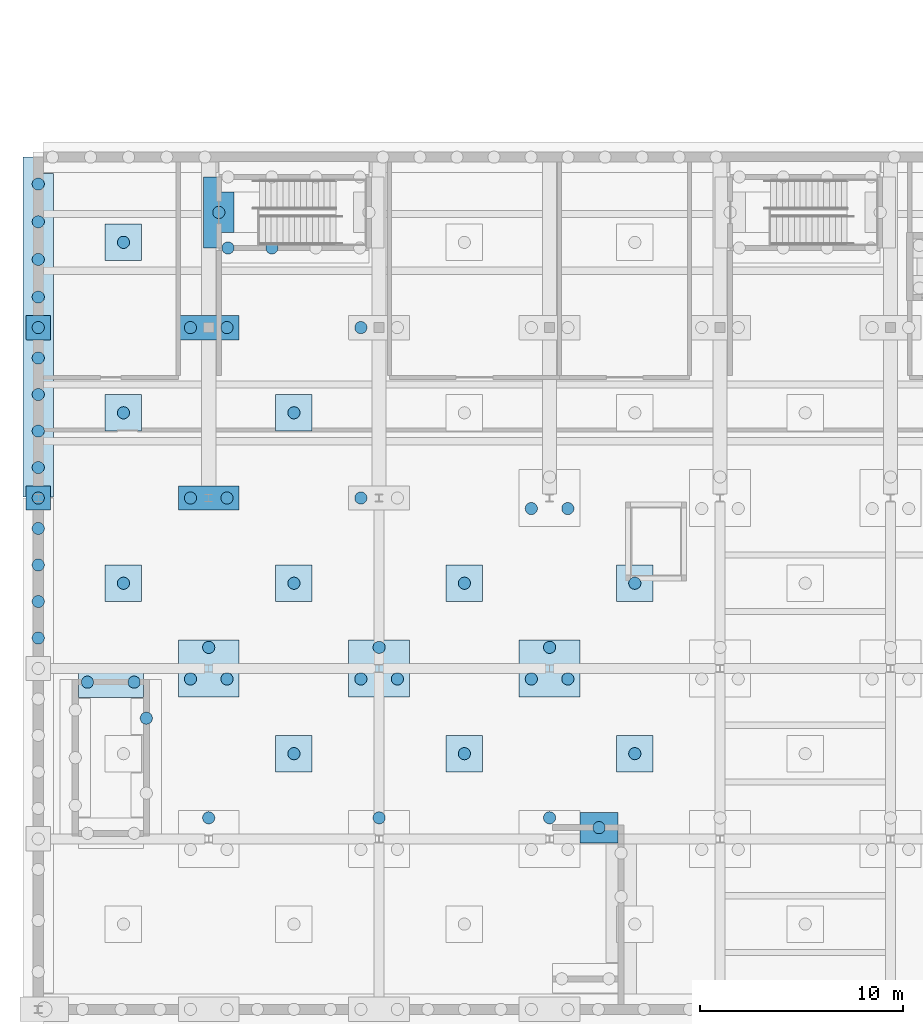
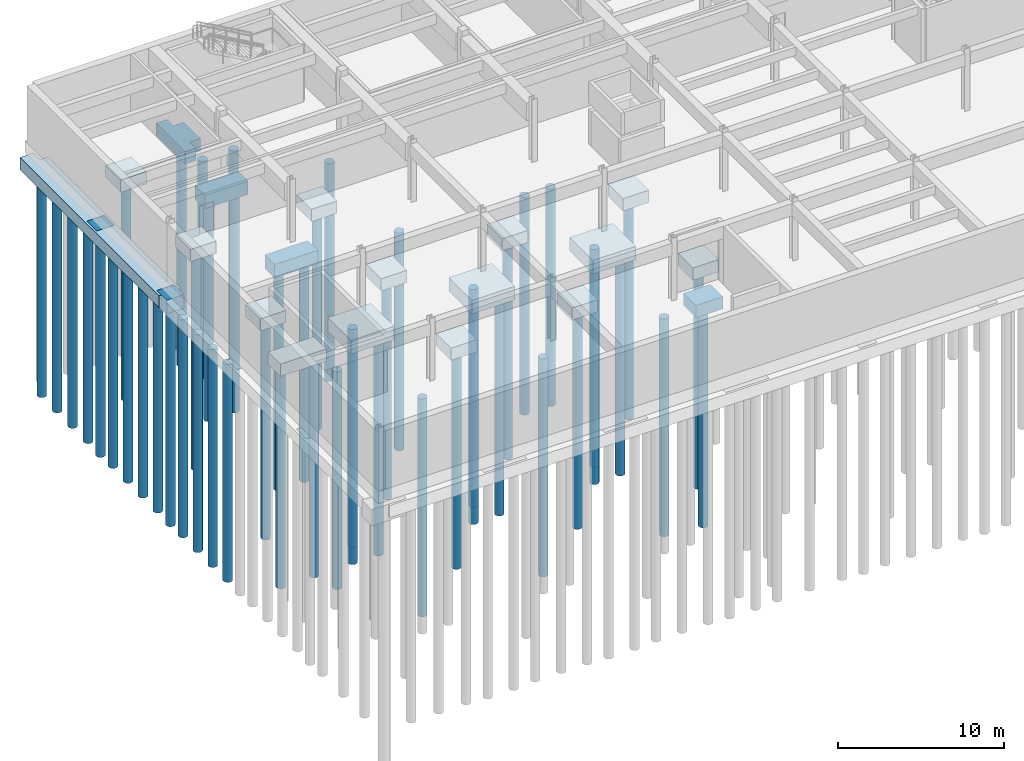
# One storey, part 3 of 33: 51 piles, 21 footings.
"""IFC4 building model written with IfcOpenShell, lengths in metres."""

from ifc_helpers import new_model, si_unit, direction, frame, origin, origin_2d, place, context, subcontext, project, spatial, polyline, circle, outline, extrude, material, layer, layer_set, material_profile, profile_set, type_object, element, save


model = new_model("IFC4")

# Units and contexts
model_context = context("Model", 3, precision=1e-05, world=origin(), true_north=direction((0.0, 1.0)))
body_context = subcontext(model_context, "Body", "Model", "MODEL_VIEW")
ifc_project = project(units=[si_unit("LENGTHUNIT", "METRE"), si_unit("AREAUNIT", "SQUARE_METRE"), si_unit("VOLUMEUNIT", "CUBIC_METRE"), si_unit("PLANEANGLEUNIT", "RADIAN"), si_unit("MASSUNIT", "GRAM", prefix="KILO")], contexts=[model_context])

# Site, building, storey
site_placement = place(None, origin())
site = spatial("IfcSite", under=ifc_project, at=site_placement, CompositionType="ELEMENT")
building_placement = place(site_placement, origin())
building = spatial("IfcBuilding", under=site, at=building_placement, Name="Ljudholm Concert House", CompositionType="ELEMENT")
storey_placement = place(building_placement, frame((0.0, 0.0, -4.60009765625)))
storey = spatial("IfcBuildingStorey", under=building, at=storey_placement, Name="B1", CompositionType="ELEMENT", Elevation=-4.60009765625)

# Piles
ifc_material_1 = material(Name="Concrete 5,000 psi", Category="concrete")
ifc_material_profile = material_profile(ifc_material_1, circle(Radius=0.300048828125, at=origin_2d()), Name="AUGER-CAST PILE D600")
ifc_profile_set = profile_set([ifc_material_profile], Name="Concrete 5,000 psi")
pile_type = type_object("IfcPileType", Name="AUGER-CAST PILE D600", PredefinedType="BORED", material=ifc_profile_set)
for number, where, z_axis, x_axis, name in (
    (1, (4.0, 130.0, -1.89990234375), (0.0, 0.0, -1.0), (1.0, 0.0, 0.0), "Pile D600"),
    (2, (4.0, 138.39990234375, -1.89990234375), (0.0, 0.0, -1.0), (1.0, 0.0, 0.0), "Pile D600"),
    (3, (12.39990234375, 114.2392578125, -1.89990234375), (0.0, 0.0, -1.0), (1.0, 0.0, 0.0), "Pile D600"),
    (4, (11.5, 121.080322265625, -1.89990234375), (0.0, 0.0, -1.0), (1.0, 0.0, 0.0), "Pile D600"),
    (5, (13.300048828125, 121.080322265625, -1.89990234375), (0.0, 0.0, -1.0), (1.0, 0.0, 0.0), "Pile D600"),
    (6, (12.39990234375, 122.63916015625, -1.89990234375), (0.0, 0.0, -1.0), (1.0, 0.0, 0.0), "Pile D600"),
    (7, (11.5, 130.0, -1.89990234375), (0.0, 0.0, -1.0), (1.0, 0.0, 0.0), "Pile D600"),
    (8, (13.300048828125, 130.0, -1.89990234375), (0.0, 0.0, -1.0), (1.0, 0.0, 0.0), "Pile D600"),
    (9, (11.5, 138.39990234375, -1.89990234375), (0.0, 0.0, -1.0), (1.0, 0.0, 0.0), "Pile D600"),
    (10, (13.300048828125, 138.39990234375, -1.89990234375), (0.0, 0.0, -1.0), (1.0, 0.0, 0.0), "Pile D600"),
    (11, (20.800048828125, 114.2392578125, -1.89990234375), (0.0, 0.0, -1.0), (1.0, 0.0, 0.0), "Pile D600"),
    (12, (19.89990234375, 121.080322265625, -1.89990234375), (0.0, 0.0, -1.0), (1.0, 0.0, 0.0), "Pile D600"),
    (13, (21.699951171875, 121.080322265625, -1.89990234375), (0.0, 0.0, -1.0), (1.0, 0.0, 0.0), "Pile D600"),
    (14, (20.800048828125, 122.63916015625, -1.89990234375), (0.0, 0.0, -1.0), (1.0, 0.0, 0.0), "Pile D600"),
    (15, (19.89990234375, 130.0, -1.89990234375), (0.0, 0.0, -1.0), (1.0, 0.0, 0.0), "Pile D600"),
    (16, (19.89990234375, 138.39990234375, -1.89990234375), (0.0, 0.0, -1.0), (1.0, 0.0, 0.0), "Pile D600"),
    (17, (29.199951171875, 114.2392578125, -1.89990234375), (0.0, 0.0, -1.0), (1.0, 0.0, 0.0), "Pile D600"),
    (18, (28.300048828125, 121.080322265625, -1.89990234375), (0.0, 0.0, -1.0), (1.0, 0.0, 0.0), "Pile D600"),
    (19, (30.10009765625, 121.080322265625, -1.89990234375), (0.0, 0.0, -1.0), (1.0, 0.0, 0.0), "Pile D600"),
    (20, (29.199951171875, 122.63916015625, -1.89990234375), (0.0, 0.0, -1.0), (1.0, 0.0, 0.0), "Pile D600"),
    (21, (28.300048828125, 129.48046875, -1.89990234375), (0.0, 0.0, -1.0), (1.0, 0.0, 0.0), "Pile D600"),
    (22, (30.10009765625, 129.48046875, -1.89990234375), (0.0, 0.0, -1.0), (1.0, 0.0, 0.0), "Pile D600"),
    (23, (13.35009765625, 142.324951171875, -1.7998046875), (0.0, 0.0, -1.0), (1.0, 0.0, 0.0), "Pile D600"),
    (24, (15.514892578125, 142.324951171875, -1.7998046875), (0.0, 0.0, -1.0), (1.0, 0.0, 0.0), "Pile D600"),
    (25, (12.89990234375, 144.074951171875, -1.7998046875), (0.0, 0.0, -1.0), (1.0, 0.0, 0.0), "Pile D600"),
    (26, (4.0, 123.10009765625, -1.7998046875), (0.0, 0.0, -1.0), (1.0, 0.0, 0.0), "Pile D600"),
    (27, (4.0, 124.89990234375, -1.7998046875), (0.0, 0.0, -1.0), (1.0, 0.0, 0.0), "Pile D600"),
    (28, (4.0, 126.699951171875, -1.7998046875), (0.0, 0.0, -1.0), (1.0, 0.0, 0.0), "Pile D600"),
    (29, (4.0, 128.5, -1.7998046875), (0.0, 0.0, -1.0), (1.0, 0.0, 0.0), "Pile D600"),
    (30, (4.0, 131.5, -1.7998046875), (0.0, 0.0, -1.0), (1.0, 0.0, 0.0), "Pile D600"),
    (31, (4.0, 133.300048828125, -1.7998046875), (0.0, 0.0, -1.0), (1.0, 0.0, 0.0), "Pile D600"),
    (32, (4.0, 135.10009765625, -1.7998046875), (0.0, 0.0, -1.0), (1.0, 0.0, 0.0), "Pile D600"),
    (33, (4.0, 136.89990234375, -1.7998046875), (0.0, 0.0, -1.0), (1.0, 0.0, 0.0), "Pile D600"),
    (34, (4.0, 139.89990234375, -1.7998046875), (0.0, 0.0, -1.0), (1.0, 0.0, 0.0), "Pile D600"),
    (35, (4.0, 141.7578125, -1.7998046875), (0.0, 0.0, -1.0), (1.0, 0.0, 0.0), "Pile D600"),
    (36, (4.0, 143.61572265625, -1.7998046875), (0.0, 0.0, -1.0), (1.0, 0.0, 0.0), "Pile D600"),
    (37, (4.0, 145.4736328125, -1.7998046875), (0.0, 0.0, -1.0), (1.0, 0.0, 0.0), "Pile D600"),
    (38, (16.60009765625, 117.39990234375, -1.7998046875), (0.0, 0.0, -1.0), (1.0, 0.0, 0.0), "Pile D600"),
    (39, (25.0, 117.39990234375, -1.7998046875), (0.0, 0.0, -1.0), (1.0, 0.0, 0.0), "Pile D600"),
    (40, (33.39990234375, 117.39990234375, -1.7998046875), (0.0, 0.0, -1.0), (1.0, 0.0, 0.0), "Pile D600"),
    (41, (8.199951171875, 125.800048828125, -1.7998046875), (0.0, 0.0, -1.0), (1.0, 0.0, 0.0), "Pile D600"),
    (42, (16.60009765625, 125.800048828125, -1.7998046875), (0.0, 0.0, -1.0), (1.0, 0.0, 0.0), "Pile D600"),
    (43, (25.0, 125.800048828125, -1.7998046875), (0.0, 0.0, -1.0), (1.0, 0.0, 0.0), "Pile D600"),
    (44, (33.39990234375, 125.800048828125, -1.7998046875), (0.0, 0.0, -1.0), (1.0, 0.0, 0.0), "Pile D600"),
    (45, (8.199951171875, 134.199951171875, -1.7998046875), (0.0, 0.0, -1.0), (1.0, 0.0, 0.0), "Pile D600"),
    (46, (16.60009765625, 134.199951171875, -1.7998046875), (0.0, 0.0, -1.0), (1.0, 0.0, 0.0), "Pile D600"),
    (47, (8.199951171875, 142.60009765625, -1.7998046875), (0.0, 0.0, -1.0), (1.0, 0.0, 0.0), "Pile D600"),
    (48, (31.637451171875, 113.7548828125, -1.7998046875), (0.0, 0.0, -1.0), (1.0, 0.0, 0.0), "Pile D600"),
    (49, (6.425048828125, 120.925048828125, -1.7998046875), (0.0, 0.0, -1.0), (1.0, 0.0, 0.0), "Pile D600"),
    (50, (8.72509765625, 120.925048828125, -1.7998046875), (0.0, 0.0, -1.0), (1.0, 0.0, 0.0), "Pile D600"),
    (51, (9.324951171875, 119.14697265625, -1.7998046875), (0.0, 0.0, -1.0), (1.0, 0.0, 0.0), "Pile D600"),
):
    element("IfcPile", number, at=place(storey_placement, frame(where, z_axis=z_axis, x_axis=x_axis)), inside=storey, type_object=pile_type, Name=name, PredefinedType="BORED", context=body_context, shape_type="SweptSolid", body=[
        extrude(circle(Radius=0.300048828125, at=origin_2d()), origin(), (0.0, 0.0, 1.0), 16.0),
    ])

# Footings
ifc_material_2 = material(Name="Concrete 5,000 psi", Category="concrete")
ifc_layer_1 = layer(ifc_material_2, 1.0)
ifc_layer_set_1 = layer_set([ifc_layer_1], Name="Concrete 5,000 psi")
footing_type_1 = type_object("IfcFootingType", Name="RC PILE CAP 1200x1200x1000", PredefinedType="PILE_CAP", material=ifc_layer_set_1)
footing_1_placement = place(storey_placement, frame((0.0, 0.0, -1.89990234375)))
element("IfcFooting", 52, at=footing_1_placement, inside=storey, type_object=footing_type_1, Name="Pile cap", PredefinedType="PILE_CAP", context=body_context, shape_type="SweptSolid", body=[
    extrude(outline(polyline([(3.409912109375, 129.39990234375), (4.590087890625, 129.39990234375), (4.59375, 129.40087890625), (4.59716796875, 129.40283203125), (4.59912109375, 129.40625), (4.60009765625, 129.409912109375), (4.60009765625, 130.590087890625), (4.59912109375, 130.59375), (4.59716796875, 130.59716796875), (4.59375, 130.59912109375), (4.590087890625, 130.60009765625), (3.409912109375, 130.60009765625), (3.40625, 130.59912109375), (3.40283203125, 130.59716796875), (3.40087890625, 130.59375), (3.39990234375, 130.590087890625), (3.39990234375, 129.409912109375), (3.40087890625, 129.40625), (3.40283203125, 129.40283203125), (3.40625, 129.40087890625), (3.409912109375, 129.39990234375)])), origin(), (0.0, 0.0, 1.0), 1.0),
])
footing_2_placement = place(storey_placement, frame((0.0, 0.0, -1.89990234375)))
element("IfcFooting", 53, at=footing_2_placement, inside=storey, type_object=footing_type_1, Name="Pile cap", PredefinedType="PILE_CAP", context=body_context, shape_type="SweptSolid", body=[
    extrude(outline(polyline([(3.39990234375, 138.989990234375), (3.39990234375, 137.81005859375), (3.40087890625, 137.80615234375), (3.40283203125, 137.802978515625), (3.40625, 137.80078125), (3.409912109375, 137.800048828125), (4.590087890625, 137.800048828125), (4.59375, 137.80078125), (4.59716796875, 137.802978515625), (4.59912109375, 137.80615234375), (4.60009765625, 137.81005859375), (4.60009765625, 138.989990234375), (4.59912109375, 138.993896484375), (4.59716796875, 138.9970703125), (4.59375, 138.999267578125), (4.590087890625, 139.0), (3.409912109375, 139.0), (3.40625, 138.999267578125), (3.40283203125, 138.9970703125), (3.40087890625, 138.993896484375), (3.39990234375, 138.989990234375)])), origin(), (0.0, 0.0, 1.0), 1.0),
])
ifc_material_3 = material(Name="Concrete 5,000 psi", Category="concrete")
ifc_layer_2 = layer(ifc_material_3, 0.89990234375)
ifc_layer_set_2 = layer_set([ifc_layer_2], Name="Concrete 5,000 psi")
footing_type_2 = type_object("IfcFootingType", Name="RC PILE CAP 1800x1800x900", PredefinedType="PILE_CAP", material=ifc_layer_set_2)
footing_3_placement = place(storey_placement, frame((0.0, 0.0, -1.7998046875)))
element("IfcFooting", 54, at=footing_3_placement, inside=storey, type_object=footing_type_2, Name="Uplift pile cap", PredefinedType="PILE_CAP", context=body_context, shape_type="SweptSolid", body=[
    extrude(outline(polyline([(15.7099609375, 116.5), (17.489990234375, 116.5), (17.493896484375, 116.500732421875), (17.4970703125, 116.5029296875), (17.499267578125, 116.506103515625), (17.5, 116.510009765625), (17.5, 118.2900390625), (17.499267578125, 118.2939453125), (17.4970703125, 118.297119140625), (17.493896484375, 118.29931640625), (17.489990234375, 118.300048828125), (15.7099609375, 118.300048828125), (15.7060546875, 118.29931640625), (15.702880859375, 118.297119140625), (15.70068359375, 118.2939453125), (15.699951171875, 118.2900390625), (15.699951171875, 116.510009765625), (15.70068359375, 116.506103515625), (15.702880859375, 116.5029296875), (15.7060546875, 116.500732421875), (15.7099609375, 116.5)])), origin(), (0.0, 0.0, 1.0), 0.89990234375),
])
footing_4_placement = place(storey_placement, frame((0.0, 0.0, -1.7998046875)))
element("IfcFooting", 55, at=footing_4_placement, inside=storey, type_object=footing_type_2, Name="Uplift pile cap", PredefinedType="PILE_CAP", context=body_context, shape_type="SweptSolid", body=[
    extrude(outline(polyline([(24.110107421875, 116.5), (25.889892578125, 116.5), (25.893798828125, 116.500732421875), (25.89697265625, 116.5029296875), (25.899169921875, 116.506103515625), (25.89990234375, 116.510009765625), (25.89990234375, 118.2900390625), (25.899169921875, 118.2939453125), (25.89697265625, 118.297119140625), (25.893798828125, 118.29931640625), (25.889892578125, 118.300048828125), (24.110107421875, 118.300048828125), (24.106201171875, 118.29931640625), (24.10302734375, 118.297119140625), (24.100830078125, 118.2939453125), (24.10009765625, 118.2900390625), (24.10009765625, 116.510009765625), (24.100830078125, 116.506103515625), (24.10302734375, 116.5029296875), (24.106201171875, 116.500732421875), (24.110107421875, 116.5)])), origin(), (0.0, 0.0, 1.0), 0.89990234375),
])
footing_5_placement = place(storey_placement, frame((0.0, 0.0, -1.7998046875)))
element("IfcFooting", 56, at=footing_5_placement, inside=storey, type_object=footing_type_2, Name="Uplift pile cap", PredefinedType="PILE_CAP", context=body_context, shape_type="SweptSolid", body=[
    extrude(outline(polyline([(32.510009765625, 116.5), (34.2900390625, 116.5), (34.2939453125, 116.500732421875), (34.297119140625, 116.5029296875), (34.29931640625, 116.506103515625), (34.300048828125, 116.510009765625), (34.300048828125, 118.2900390625), (34.29931640625, 118.2939453125), (34.297119140625, 118.297119140625), (34.2939453125, 118.29931640625), (34.2900390625, 118.300048828125), (32.510009765625, 118.300048828125), (32.506103515625, 118.29931640625), (32.5029296875, 118.297119140625), (32.500732421875, 118.2939453125), (32.5, 118.2900390625), (32.5, 116.510009765625), (32.500732421875, 116.506103515625), (32.5029296875, 116.5029296875), (32.506103515625, 116.500732421875), (32.510009765625, 116.5)])), origin(), (0.0, 0.0, 1.0), 0.89990234375),
])
footing_6_placement = place(storey_placement, frame((0.0, 0.0, -1.7998046875)))
element("IfcFooting", 57, at=footing_6_placement, inside=storey, type_object=footing_type_2, Name="Uplift pile cap", PredefinedType="PILE_CAP", context=body_context, shape_type="SweptSolid", body=[
    extrude(outline(polyline([(7.300048828125, 126.68994140625), (7.300048828125, 124.909912109375), (7.30078125, 124.90625), (7.302978515625, 124.90283203125), (7.30615234375, 124.90087890625), (7.31005859375, 124.89990234375), (9.090087890625, 124.89990234375), (9.09375, 124.90087890625), (9.09716796875, 124.90283203125), (9.09912109375, 124.90625), (9.10009765625, 124.909912109375), (9.10009765625, 126.68994140625), (9.09912109375, 126.69384765625), (9.09716796875, 126.697021484375), (9.09375, 126.69921875), (9.090087890625, 126.699951171875), (7.31005859375, 126.699951171875), (7.30615234375, 126.69921875), (7.302978515625, 126.697021484375), (7.30078125, 126.69384765625), (7.300048828125, 126.68994140625)])), origin(), (0.0, 0.0, 1.0), 0.89990234375),
])
footing_7_placement = place(storey_placement, frame((0.0, 0.0, -1.7998046875)))
element("IfcFooting", 58, at=footing_7_placement, inside=storey, type_object=footing_type_2, Name="Uplift pile cap", PredefinedType="PILE_CAP", context=body_context, shape_type="SweptSolid", body=[
    extrude(outline(polyline([(15.699951171875, 126.68994140625), (15.699951171875, 124.909912109375), (15.70068359375, 124.90625), (15.702880859375, 124.90283203125), (15.7060546875, 124.90087890625), (15.7099609375, 124.89990234375), (17.489990234375, 124.89990234375), (17.493896484375, 124.90087890625), (17.4970703125, 124.90283203125), (17.499267578125, 124.90625), (17.5, 124.909912109375), (17.5, 126.68994140625), (17.499267578125, 126.69384765625), (17.4970703125, 126.697021484375), (17.493896484375, 126.69921875), (17.489990234375, 126.699951171875), (15.7099609375, 126.699951171875), (15.7060546875, 126.69921875), (15.702880859375, 126.697021484375), (15.70068359375, 126.69384765625), (15.699951171875, 126.68994140625)])), origin(), (0.0, 0.0, 1.0), 0.89990234375),
])
footing_8_placement = place(storey_placement, frame((0.0, 0.0, -1.7998046875)))
element("IfcFooting", 59, at=footing_8_placement, inside=storey, type_object=footing_type_2, Name="Uplift pile cap", PredefinedType="PILE_CAP", context=body_context, shape_type="SweptSolid", body=[
    extrude(outline(polyline([(24.10009765625, 126.68994140625), (24.10009765625, 124.909912109375), (24.100830078125, 124.90625), (24.10302734375, 124.90283203125), (24.106201171875, 124.90087890625), (24.110107421875, 124.89990234375), (25.889892578125, 124.89990234375), (25.893798828125, 124.90087890625), (25.89697265625, 124.90283203125), (25.899169921875, 124.90625), (25.89990234375, 124.909912109375), (25.89990234375, 126.68994140625), (25.899169921875, 126.69384765625), (25.89697265625, 126.697021484375), (25.893798828125, 126.69921875), (25.889892578125, 126.699951171875), (24.110107421875, 126.699951171875), (24.106201171875, 126.69921875), (24.10302734375, 126.697021484375), (24.100830078125, 126.69384765625), (24.10009765625, 126.68994140625)])), origin(), (0.0, 0.0, 1.0), 0.89990234375),
])
footing_9_placement = place(storey_placement, frame((0.0, 0.0, -1.7998046875)))
element("IfcFooting", 60, at=footing_9_placement, inside=storey, type_object=footing_type_2, Name="Uplift pile cap", PredefinedType="PILE_CAP", context=body_context, shape_type="SweptSolid", body=[
    extrude(outline(polyline([(32.5, 126.68994140625), (32.5, 124.909912109375), (32.500732421875, 124.90625), (32.5029296875, 124.90283203125), (32.506103515625, 124.90087890625), (32.510009765625, 124.89990234375), (34.2900390625, 124.89990234375), (34.2939453125, 124.90087890625), (34.297119140625, 124.90283203125), (34.29931640625, 124.90625), (34.300048828125, 124.909912109375), (34.300048828125, 126.68994140625), (34.29931640625, 126.69384765625), (34.297119140625, 126.697021484375), (34.2939453125, 126.69921875), (34.2900390625, 126.699951171875), (32.510009765625, 126.699951171875), (32.506103515625, 126.69921875), (32.5029296875, 126.697021484375), (32.500732421875, 126.69384765625), (32.5, 126.68994140625)])), origin(), (0.0, 0.0, 1.0), 0.89990234375),
])
footing_10_placement = place(storey_placement, frame((0.0, 0.0, -1.7998046875)))
element("IfcFooting", 61, at=footing_10_placement, inside=storey, type_object=footing_type_2, Name="Uplift pile cap", PredefinedType="PILE_CAP", context=body_context, shape_type="SweptSolid", body=[
    extrude(outline(polyline([(7.31005859375, 133.300048828125), (9.090087890625, 133.300048828125), (9.09375, 133.30078125), (9.09716796875, 133.302978515625), (9.09912109375, 133.30615234375), (9.10009765625, 133.31005859375), (9.10009765625, 135.090087890625), (9.09912109375, 135.09375), (9.09716796875, 135.09716796875), (9.09375, 135.09912109375), (9.090087890625, 135.10009765625), (7.31005859375, 135.10009765625), (7.30615234375, 135.09912109375), (7.302978515625, 135.09716796875), (7.30078125, 135.09375), (7.300048828125, 135.090087890625), (7.300048828125, 133.31005859375), (7.30078125, 133.30615234375), (7.302978515625, 133.302978515625), (7.30615234375, 133.30078125), (7.31005859375, 133.300048828125)])), origin(), (0.0, 0.0, 1.0), 0.89990234375),
])
footing_11_placement = place(storey_placement, frame((0.0, 0.0, -1.7998046875)))
element("IfcFooting", 62, at=footing_11_placement, inside=storey, type_object=footing_type_2, Name="Uplift pile cap", PredefinedType="PILE_CAP", context=body_context, shape_type="SweptSolid", body=[
    extrude(outline(polyline([(15.7099609375, 133.300048828125), (17.489990234375, 133.300048828125), (17.493896484375, 133.30078125), (17.4970703125, 133.302978515625), (17.499267578125, 133.30615234375), (17.5, 133.31005859375), (17.5, 135.090087890625), (17.499267578125, 135.09375), (17.4970703125, 135.09716796875), (17.493896484375, 135.09912109375), (17.489990234375, 135.10009765625), (15.7099609375, 135.10009765625), (15.7060546875, 135.09912109375), (15.702880859375, 135.09716796875), (15.70068359375, 135.09375), (15.699951171875, 135.090087890625), (15.699951171875, 133.31005859375), (15.70068359375, 133.30615234375), (15.702880859375, 133.302978515625), (15.7060546875, 133.30078125), (15.7099609375, 133.300048828125)])), origin(), (0.0, 0.0, 1.0), 0.89990234375),
])
footing_12_placement = place(storey_placement, frame((0.0, 0.0, -1.7998046875)))
element("IfcFooting", 63, at=footing_12_placement, inside=storey, type_object=footing_type_2, Name="Uplift pile cap", PredefinedType="PILE_CAP", context=body_context, shape_type="SweptSolid", body=[
    extrude(outline(polyline([(7.300048828125, 143.489990234375), (7.300048828125, 141.7099609375), (7.30078125, 141.7060546875), (7.302978515625, 141.702880859375), (7.30615234375, 141.70068359375), (7.31005859375, 141.699951171875), (9.090087890625, 141.699951171875), (9.09375, 141.70068359375), (9.09716796875, 141.702880859375), (9.09912109375, 141.7060546875), (9.10009765625, 141.7099609375), (9.10009765625, 143.489990234375), (9.09912109375, 143.493896484375), (9.09716796875, 143.4970703125), (9.09375, 143.499267578125), (9.090087890625, 143.5), (7.31005859375, 143.5), (7.30615234375, 143.499267578125), (7.302978515625, 143.4970703125), (7.30078125, 143.493896484375), (7.300048828125, 143.489990234375)])), origin(), (0.0, 0.0, 1.0), 0.89990234375),
])
ifc_material_4 = material(Name="Concrete 5,000 psi", Category="concrete")
ifc_layer_3 = layer(ifc_material_4, 1.0)
ifc_layer_set_3 = layer_set([ifc_layer_3], Name="Concrete 5,000 psi")
footing_type_3 = type_object("IfcFootingType", Name="RC PILE CAP 3000x1200x1000", PredefinedType="PILE_CAP", material=ifc_layer_set_3)
footing_13_placement = place(storey_placement, frame((0.0, 0.0, -1.89990234375)))
element("IfcFooting", 64, at=footing_13_placement, inside=storey, type_object=footing_type_3, Name="Pile cap", PredefinedType="PILE_CAP", context=body_context, shape_type="SweptSolid", body=[
    extrude(outline(polyline([(10.909912109375, 129.39990234375), (13.889892578125, 129.39990234375), (13.893798828125, 129.40087890625), (13.898193359375, 129.404541015625), (13.89990234375, 129.409912109375), (13.89990234375, 130.590087890625), (13.899169921875, 130.59375), (13.8955078125, 130.598388671875), (13.889892578125, 130.60009765625), (10.909912109375, 130.60009765625), (10.90625, 130.59912109375), (10.901611328125, 130.595458984375), (10.89990234375, 130.590087890625), (10.89990234375, 129.409912109375), (10.90087890625, 129.40625), (10.90283203125, 129.40283203125), (10.90625, 129.40087890625), (10.909912109375, 129.39990234375)])), origin(), (0.0, 0.0, 1.0), 1.0),
])
footing_14_placement = place(storey_placement, frame((0.0, 0.0, -1.89990234375)))
element("IfcFooting", 65, at=footing_14_placement, inside=storey, type_object=footing_type_3, Name="Pile cap", PredefinedType="PILE_CAP", context=body_context, shape_type="SweptSolid", body=[
    extrude(outline(polyline([(10.89990234375, 138.989990234375), (10.89990234375, 137.81005859375), (10.901611328125, 137.804443359375), (10.90625, 137.80078125), (10.909912109375, 137.800048828125), (13.889892578125, 137.800048828125), (13.8955078125, 137.8017578125), (13.899169921875, 137.80615234375), (13.89990234375, 137.81005859375), (13.89990234375, 138.989990234375), (13.898193359375, 138.99560546875), (13.893798828125, 138.999267578125), (13.889892578125, 139.0), (10.909912109375, 139.0), (10.90625, 138.999267578125), (10.90283203125, 138.9970703125), (10.90087890625, 138.993896484375), (10.89990234375, 138.989990234375)])), origin(), (0.0, 0.0, 1.0), 1.0),
])
ifc_material_5 = material(Name="Concrete 5,000 psi", Category="concrete")
ifc_layer_4 = layer(ifc_material_5, 1.0)
ifc_layer_set_4 = layer_set([ifc_layer_4], Name="Concrete 5,000 psi")
footing_type_4 = type_object("IfcFootingType", Name="RC PILE CAP 3000x2800x1000", PredefinedType="PILE_CAP", material=ifc_layer_set_4)
footing_15_placement = place(storey_placement, frame((0.0, 0.0, -1.89990234375)))
element("IfcFooting", 66, at=footing_15_placement, inside=storey, type_object=footing_type_4, Name="Pile cap", PredefinedType="PILE_CAP", context=body_context, shape_type="SweptSolid", body=[
    extrude(outline(polyline([(10.909912109375, 120.199951171875), (13.889892578125, 120.199951171875), (13.893798828125, 120.20068359375), (13.89697265625, 120.202880859375), (13.899169921875, 120.2060546875), (13.89990234375, 120.2099609375), (13.89990234375, 122.989990234375), (13.899169921875, 122.993896484375), (13.89697265625, 122.9970703125), (13.893798828125, 122.999267578125), (13.889892578125, 123.0), (10.909912109375, 123.0), (10.90625, 122.999267578125), (10.90283203125, 122.9970703125), (10.90087890625, 122.993896484375), (10.89990234375, 122.989990234375), (10.89990234375, 120.2099609375), (10.90087890625, 120.2060546875), (10.90283203125, 120.202880859375), (10.90625, 120.20068359375), (10.909912109375, 120.199951171875)])), origin(), (0.0, 0.0, 1.0), 1.0),
])
footing_16_placement = place(storey_placement, frame((0.0, 0.0, -1.89990234375)))
element("IfcFooting", 67, at=footing_16_placement, inside=storey, type_object=footing_type_4, Name="Pile cap", PredefinedType="PILE_CAP", context=body_context, shape_type="SweptSolid", body=[
    extrude(outline(polyline([(19.31005859375, 120.199951171875), (22.2900390625, 120.199951171875), (22.2939453125, 120.20068359375), (22.297119140625, 120.202880859375), (22.29931640625, 120.2060546875), (22.300048828125, 120.2099609375), (22.300048828125, 122.989990234375), (22.29931640625, 122.993896484375), (22.297119140625, 122.9970703125), (22.2939453125, 122.999267578125), (22.2900390625, 123.0), (19.31005859375, 123.0), (19.30615234375, 122.999267578125), (19.302978515625, 122.9970703125), (19.30078125, 122.993896484375), (19.300048828125, 122.989990234375), (19.300048828125, 120.2099609375), (19.30078125, 120.2060546875), (19.302978515625, 120.202880859375), (19.30615234375, 120.20068359375), (19.31005859375, 120.199951171875)])), origin(), (0.0, 0.0, 1.0), 1.0),
])
footing_17_placement = place(storey_placement, frame((0.0, 0.0, -1.89990234375)))
element("IfcFooting", 68, at=footing_17_placement, inside=storey, type_object=footing_type_4, Name="Pile cap", PredefinedType="PILE_CAP", context=body_context, shape_type="SweptSolid", body=[
    extrude(outline(polyline([(27.7099609375, 120.199951171875), (30.68994140625, 120.199951171875), (30.69384765625, 120.20068359375), (30.697021484375, 120.202880859375), (30.69921875, 120.2060546875), (30.699951171875, 120.2099609375), (30.699951171875, 122.989990234375), (30.69921875, 122.993896484375), (30.697021484375, 122.9970703125), (30.69384765625, 122.999267578125), (30.68994140625, 123.0), (27.7099609375, 123.0), (27.7060546875, 122.999267578125), (27.702880859375, 122.9970703125), (27.70068359375, 122.993896484375), (27.699951171875, 122.989990234375), (27.699951171875, 120.2099609375), (27.70068359375, 120.2060546875), (27.702880859375, 120.202880859375), (27.7060546875, 120.20068359375), (27.7099609375, 120.199951171875)])), origin(), (0.0, 0.0, 1.0), 1.0),
])
ifc_material_6 = material(Name="Concrete 5,000 psi", Category="concrete")
ifc_layer_5 = layer(ifc_material_6, 0.89990234375)
ifc_layer_set_5 = layer_set([ifc_layer_5], Name="Concrete 5,000 psi")
footing_type_5 = type_object("IfcFootingType", Name="RC STRIP FOOTING 1500x900", PredefinedType="STRIP_FOOTING", material=ifc_layer_set_5)
footing_18_placement = place(storey_placement, frame((0.0, 0.0, -1.7998046875)))
element("IfcFooting", 69, at=footing_18_placement, inside=storey, type_object=footing_type_5, Name="Strip footing", PredefinedType="STRIP_FOOTING", context=body_context, shape_type="SweptSolid", body=[
    extrude(outline(polyline([(12.159912109375, 142.324951171875), (12.889892578125, 142.324951171875), (12.894775390625, 142.326171875), (12.898193359375, 142.329345703125), (12.89990234375, 142.3349609375), (12.89990234375, 143.064697265625), (12.90087890625, 143.06884765625), (12.90283203125, 143.072021484375), (12.90625, 143.07421875), (12.91015625, 143.074951171875), (13.639892578125, 143.074951171875), (13.642822265625, 143.075439453125), (13.646240234375, 143.0771484375), (13.64892578125, 143.080322265625), (13.64990234375, 143.0830078125), (13.649658203125, 145.06787109375), (13.646240234375, 145.07275390625), (13.642822265625, 145.074462890625), (13.639892578125, 145.074951171875), (12.91015625, 145.074951171875), (12.90625, 145.07568359375), (12.90283203125, 145.077880859375), (12.90087890625, 145.081298828125), (12.89990234375, 145.085205078125), (12.89990234375, 145.81494140625), (12.899169921875, 145.81884765625), (12.897705078125, 145.8212890625), (12.894775390625, 145.82373046875), (12.891845703125, 145.82470703125), (12.159912109375, 145.824951171875), (12.156982421875, 145.824462890625), (12.153564453125, 145.82275390625), (12.151123046875, 145.81982421875), (12.150146484375, 145.81689453125), (12.14990234375, 142.3349609375), (12.15087890625, 142.3310546875), (12.15283203125, 142.327880859375), (12.15625, 142.32568359375), (12.159912109375, 142.324951171875)])), origin(), (0.0, 0.0, 1.0), 0.89990234375),
])
footing_19_placement = place(storey_placement, frame((0.0, 0.0, -1.7998046875)))
element("IfcFooting", 70, at=footing_19_placement, inside=storey, type_object=footing_type_5, Name="Strip footing", PredefinedType="STRIP_FOOTING", context=body_context, shape_type="SweptSolid", body=[
    extrude(outline(polyline([(3.25, 146.7900390625), (3.25, 130.05908203125), (3.251220703125, 130.05517578125), (3.253662109375, 130.05224609375), (3.257080078125, 130.050537109375), (3.260009765625, 130.050048828125), (3.390869140625, 130.050048828125), (3.396240234375, 130.05224609375), (3.399658203125, 130.05712890625), (3.39990234375, 130.58984375), (3.401611328125, 130.595458984375), (3.40625, 130.59912109375), (3.41015625, 130.60009765625), (4.58984375, 130.60009765625), (4.59375, 130.59912109375), (4.59716796875, 130.59716796875), (4.59912109375, 130.59375), (4.60009765625, 130.58984375), (4.600341796875, 130.05712890625), (4.603759765625, 130.05224609375), (4.609130859375, 130.050048828125), (4.740966796875, 130.050048828125), (4.74462890625, 130.05126953125), (4.747802734375, 130.0537109375), (4.749267578125, 130.05615234375), (4.75, 130.06005859375), (4.75, 145.990966796875), (4.748779296875, 145.99462890625), (4.746337890625, 145.997802734375), (4.742919921875, 145.99951171875), (4.739990234375, 146.0), (4.210205078125, 146.0), (4.205322265625, 146.001220703125), (4.20166015625, 146.00439453125), (4.199951171875, 146.01025390625), (4.199951171875, 146.7900390625), (4.1982421875, 146.795654296875), (4.19482421875, 146.798828125), (4.18994140625, 146.800048828125), (3.260009765625, 146.800048828125), (3.256103515625, 146.79931640625), (3.2529296875, 146.797119140625), (3.250732421875, 146.7939453125), (3.25, 146.7900390625)]), holes=[polyline([(3.41015625, 139.0), (4.58984375, 139.0), (4.59375, 138.999267578125), (4.59716796875, 138.9970703125), (4.59912109375, 138.993896484375), (4.60009765625, 138.98974609375), (4.60009765625, 137.810302734375), (4.59912109375, 137.80615234375), (4.59716796875, 137.802978515625), (4.59375, 137.80078125), (4.58984375, 137.800048828125), (3.41015625, 137.800048828125), (3.40625, 137.80078125), (3.40283203125, 137.802978515625), (3.40087890625, 137.80615234375), (3.39990234375, 137.810302734375), (3.39990234375, 138.98974609375), (3.40087890625, 138.993896484375), (3.40283203125, 138.9970703125), (3.40625, 138.999267578125), (3.41015625, 139.0)])]), origin(), (0.0, 0.0, 1.0), 0.89990234375),
])
footing_20_placement = place(storey_placement, frame((0.0, 0.0, -1.7998046875)))
element("IfcFooting", 71, at=footing_20_placement, inside=storey, type_object=footing_type_5, Name="Strip footing", PredefinedType="STRIP_FOOTING", context=body_context, shape_type="SweptSolid", body=[
    extrude(outline(polyline([(30.7099609375, 113.0048828125), (32.56494140625, 113.0048828125), (32.56884765625, 113.005859375), (32.5712890625, 113.00732421875), (32.57373046875, 113.01025390625), (32.574951171875, 113.014892578125), (32.574951171875, 114.4951171875), (32.574462890625, 114.497802734375), (32.57275390625, 114.50146484375), (32.56884765625, 114.504150390625), (32.56494140625, 114.5048828125), (30.7099609375, 114.5048828125), (30.7060546875, 114.504150390625), (30.70361328125, 114.502685546875), (30.701171875, 114.499755859375), (30.699951171875, 114.4951171875), (30.699951171875, 113.014892578125), (30.70068359375, 113.01123046875), (30.702880859375, 113.0078125), (30.7060546875, 113.005859375), (30.7099609375, 113.0048828125)])), origin(), (0.0, 0.0, 1.0), 0.89990234375),
])
footing_21_placement = place(storey_placement, frame((0.0, 0.0, -1.7998046875)))
element("IfcFooting", 72, at=footing_21_placement, inside=storey, type_object=footing_type_5, Name="Strip footing", PredefinedType="STRIP_FOOTING", context=body_context, shape_type="SweptSolid", body=[
    extrude(outline(polyline([(5.985107421875, 120.175048828125), (9.1650390625, 120.175048828125), (9.1689453125, 120.17578125), (9.17333984375, 120.179443359375), (9.175048828125, 120.18505859375), (9.175048828125, 121.6650390625), (9.17431640625, 121.6689453125), (9.170654296875, 121.67333984375), (9.1650390625, 121.675048828125), (5.985107421875, 121.675048828125), (5.981201171875, 121.67431640625), (5.976806640625, 121.670654296875), (5.97509765625, 121.6650390625), (5.97509765625, 120.18505859375), (5.975830078125, 120.18115234375), (5.97802734375, 120.177978515625), (5.981201171875, 120.17578125), (5.985107421875, 120.175048828125)])), origin(), (0.0, 0.0, 1.0), 0.89990234375),
])

save(model, "model.ifc")
